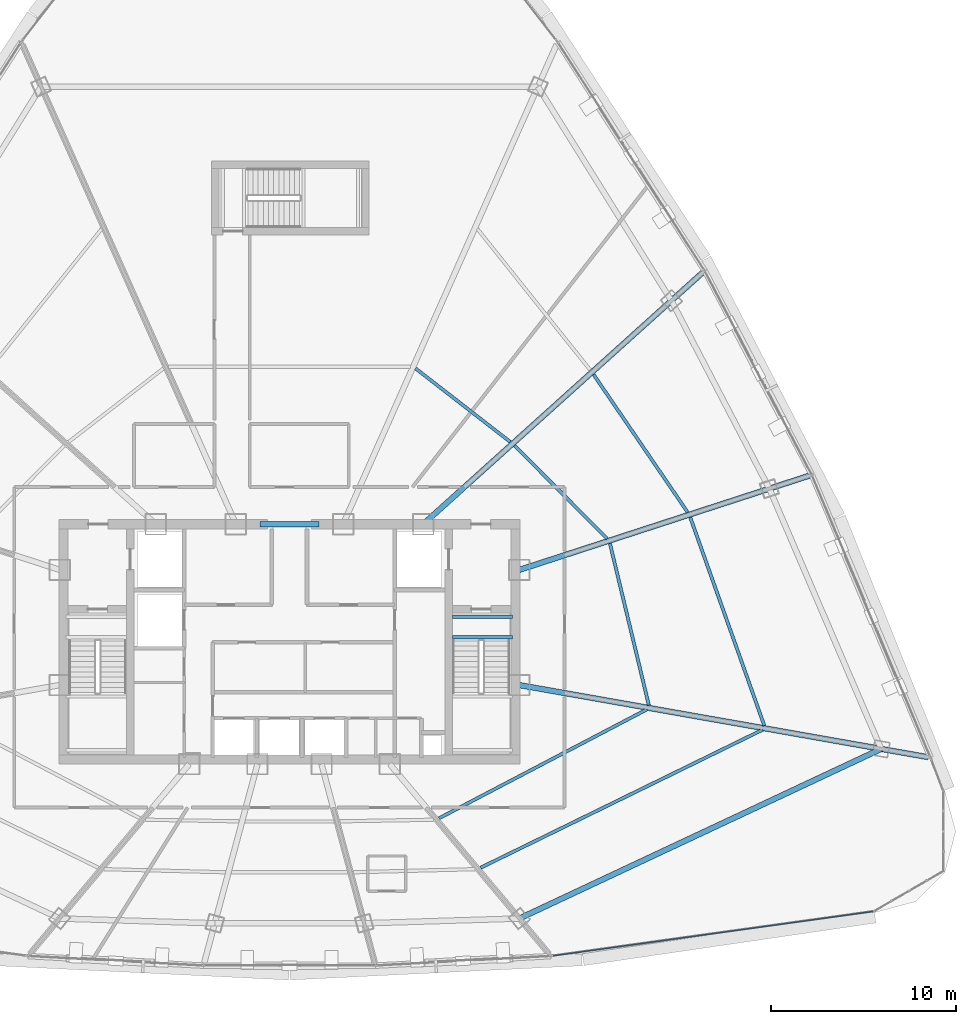
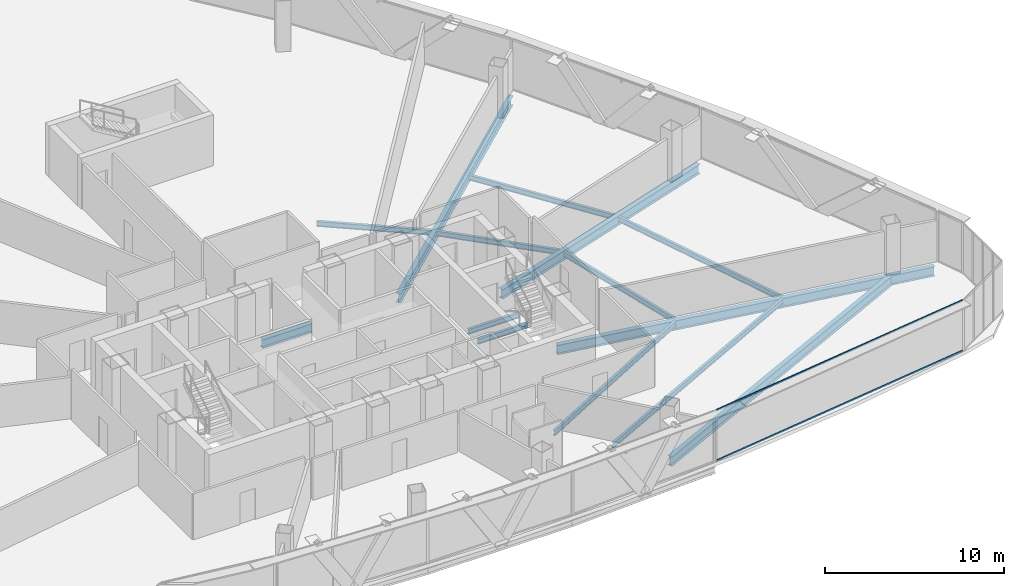
# One storey, part 13 of 36: 14 beams, 2 members, 1 element without a shape of its own.
"""IFC4 building model written with IfcOpenShell, lengths in metres."""

import ifcopenshell
import ifcopenshell.guid

model = None  # the IFC model being written
_history = None  # IfcOwnerHistory: only IFC2X3 demands one
_inside = {}  # id of a spatial element -> (the spatial element, [elements in it])
_under = {}  # id of a project, library or spatial element -> (it, [spatial elements below it])
_declared = {}  # id of a project -> (the project, [libraries it declares])
_typed = {}  # id of a type object -> (the type object, [elements of that type])
_made_of = {}  # id of a material, layer set ... -> (it, [elements and type objects made of it])


def new_model(schema):
    """Start an empty IFC model of exactly this schema.

    Asked for "IFC4X3", IfcOpenShell would pick the latest addendum, in which some entities
    have other attributes; the version numbers below select the first issue.
    IFC2X3 requires an IfcOwnerHistory on every rooted entity: one is made here for all.
    """
    global model, _history
    if schema == "IFC4X3":
        model = ifcopenshell.file(schema_version=(4, 3, 0, 0))
    else:
        model = ifcopenshell.file(schema=schema)
    _inside.clear()
    _under.clear()
    _declared.clear()
    _typed.clear()
    _made_of.clear()
    _history = None
    if model.schema == "IFC2X3":
        org = make("IfcOrganization", Name="unknown")
        user = make(
            "IfcPersonAndOrganization",
            ThePerson=make("IfcPerson", FamilyName="unknown"),
            TheOrganization=org,
        )
        app = make(
            "IfcApplication",
            ApplicationDeveloper=org,
            Version="unknown",
            ApplicationFullName="unknown",
            ApplicationIdentifier="unknown",
        )
        _history = make(
            "IfcOwnerHistory",
            OwningUser=user,
            OwningApplication=app,
            ChangeAction="ADDED",
            CreationDate=0,
        )
    return model


def make(cls, **values):
    """One entity of the class cls with the attributes given. An attribute that is None is left unset."""
    return model.create_entity(
        cls, **{name: value for name, value in values.items() if value is not None}
    )


def rooted(cls, **values):
    """An entity with a GlobalId (a new one), such as an element, a storey or a relation."""
    return make(cls, GlobalId=ifcopenshell.guid.new(), OwnerHistory=_history, **values)


def si_unit(unit_type, name, prefix=None):
    """IfcSIUnit, for example si_unit("LENGTHUNIT", "METRE", prefix="MILLI")."""
    return make("IfcSIUnit", UnitType=unit_type, Prefix=prefix, Name=name)


def assignment(units):
    """IfcUnitAssignment: the units of a project."""
    return None if units is None else make("IfcUnitAssignment", Units=units)


def point(xyz):
    """IfcCartesianPoint."""
    return None if xyz is None else make("IfcCartesianPoint", Coordinates=xyz)


def direction(xyz):
    """IfcDirection."""
    return None if xyz is None else make("IfcDirection", DirectionRatios=xyz)


def frame(location, z_axis=None, x_axis=None):
    """IfcAxis2Placement3D, a coordinate frame: its origin and axes. An axis left out is left unset."""
    return make(
        "IfcAxis2Placement3D",
        Location=point(location),
        Axis=direction(z_axis),
        RefDirection=direction(x_axis),
    )


def frame_2d(location, x_axis=None):
    """IfcAxis2Placement2D, a coordinate frame in the plane: its origin and x axis."""
    return make(
        "IfcAxis2Placement2D", Location=point(location), RefDirection=direction(x_axis)
    )


def origin():
    """The frame at (0, 0, 0) with its axes left unset."""
    return frame((0.0, 0.0, 0.0))


def origin_2d():
    """The frame at (0, 0) in the plane with its x axis left unset."""
    return frame_2d((0.0, 0.0))


def place(relative_to, where):
    """IfcLocalPlacement: puts the frame where relative to a parent placement (None: the world)."""
    return make(
        "IfcLocalPlacement", PlacementRelTo=relative_to, RelativePlacement=where
    )


def context(
    kind, dimensions, precision=None, world=None, true_north=None, identifier=None
):
    """IfcGeometricRepresentationContext, for example the 3D "Model" context."""
    return make(
        "IfcGeometricRepresentationContext",
        ContextIdentifier=identifier,
        ContextType=kind,
        CoordinateSpaceDimension=dimensions,
        Precision=precision,
        WorldCoordinateSystem=world,
        TrueNorth=true_north,
    )


def subcontext(parent, identifier, kind, view, scale=None):
    """IfcGeometricRepresentationSubContext, for example "Body" below "Model"."""
    return make(
        "IfcGeometricRepresentationSubContext",
        ContextIdentifier=identifier,
        ContextType=kind,
        ParentContext=parent,
        TargetScale=scale,
        TargetView=view,
    )


def project(units=None, contexts=None):
    """IfcProject with its units and contexts."""
    return rooted(
        "IfcProject",
        Name="project",
        RepresentationContexts=contexts,
        UnitsInContext=assignment(units),
    )


def spatial(cls, under=None, at=None, **own):
    """A site, building, storey or space (cls), placed at a placement, below another one or the project."""
    s = rooted(cls, ObjectPlacement=at, **own)
    if under is not None:
        _under.setdefault(under.id(), (under, []))[1].append(s)
    return s


def profile(cls, at=None, kind="AREA", **sizes):
    """A parametric profile (cls). Its sizes go by their IFC names, for example OverallWidth=200.0."""
    return make(cls, ProfileType=kind, Position=at, **sizes)


def hollow_rectangle(**sizes):
    """IfcRectangleHollowProfileDef."""
    return profile("IfcRectangleHollowProfileDef", **sizes)


def i_section(**sizes):
    """IfcIShapeProfileDef."""
    return profile("IfcIShapeProfileDef", **sizes)


def extrude(swept, where, along, depth):
    """IfcExtrudedAreaSolid: the profile swept, set in the frame where, extruded along a direction by depth."""
    return make(
        "IfcExtrudedAreaSolid",
        SweptArea=swept,
        Position=where,
        ExtrudedDirection=direction(along),
        Depth=depth,
    )


def shape(context_of_items, identifier, shape_type, items):
    """IfcShapeRepresentation: the items that make up one representation, for example the "Body"."""
    return make(
        "IfcShapeRepresentation",
        ContextOfItems=context_of_items,
        RepresentationIdentifier=identifier,
        RepresentationType=shape_type,
        Items=items,
    )


def source(mapping_origin, context_of_items, identifier, shape_type, items):
    """IfcRepresentationMap: a shape defined once, which mapped items show again and again."""
    return make(
        "IfcRepresentationMap",
        MappingOrigin=mapping_origin,
        MappedRepresentation=shape(context_of_items, identifier, shape_type, items),
    )


def transform(
    local_origin,
    x_axis=None,
    y_axis=None,
    z_axis=None,
    scale=None,
    scale2=None,
    scale3=None,
    uniform=True,
):
    """IfcCartesianTransformationOperator3D, or its non-uniform kind. x_axis, y_axis, z_axis: its Axis1, 2, 3."""
    if uniform:
        return make(
            "IfcCartesianTransformationOperator3D",
            Axis1=direction(x_axis),
            Axis2=direction(y_axis),
            LocalOrigin=point(local_origin),
            Scale=scale,
            Axis3=direction(z_axis),
        )
    return make(
        "IfcCartesianTransformationOperator3DnonUniform",
        Axis1=direction(x_axis),
        Axis2=direction(y_axis),
        LocalOrigin=point(local_origin),
        Scale=scale,
        Axis3=direction(z_axis),
        Scale2=scale2,
        Scale3=scale3,
    )


def mapped(mapping_source, mapping_target):
    """IfcMappedItem: shows the shape of a source again, moved by a transform."""
    return make(
        "IfcMappedItem", MappingSource=mapping_source, MappingTarget=mapping_target
    )


def material(Name=None, Category=None):
    """IfcMaterial."""
    return make("IfcMaterial", Name=Name, Category=Category)


def layer(
    of_material, thickness, ventilated=None, Name=None, Category=None, Priority=None
):
    """IfcMaterialLayer: one layer of a wall or slab, of a material (None: an air gap)."""
    return make(
        "IfcMaterialLayer",
        Material=of_material,
        LayerThickness=thickness,
        IsVentilated=ventilated,
        Name=Name,
        Category=Category,
        Priority=Priority,
    )


def layer_set(layers, Name=None):
    """IfcMaterialLayerSet."""
    return make("IfcMaterialLayerSet", MaterialLayers=layers, LayerSetName=Name)


def material_profile(
    of_material, cross_section, Name=None, Category=None, Priority=None
):
    """IfcMaterialProfile: a cross section and its material."""
    return make(
        "IfcMaterialProfile",
        Name=Name,
        Material=of_material,
        Profile=cross_section,
        Priority=Priority,
        Category=Category,
    )


def profile_set(profiles, Name=None, composite=None):
    """IfcMaterialProfileSet."""
    return make(
        "IfcMaterialProfileSet",
        Name=Name,
        MaterialProfiles=profiles,
        CompositeProfile=composite,
    )


def made_of(thing, what):
    """Note that an element or type object is made of a material, layer set ...; save() writes the relation."""
    if what is not None:
        _made_of.setdefault(what.id(), (what, []))[1].append(thing)
    return thing


def type_object(cls, material=None, **own):
    """A type object (cls), such as IfcWallType, which elements share."""
    return made_of(rooted(cls, **own), material)


def element(
    cls,
    number,
    at=None,
    inside=None,
    cuts=None,
    type_object=None,
    material=None,
    context=None,
    identifier="Body",
    shape_type=None,
    held_by="IfcProductDefinitionShape",
    body=None,
    shapes=None,
    **own,
):
    """One element of the class cls, such as IfcWall. Its Tag is "e" and its number.

    at: its placement. inside: the storey or other place that contains it. cuts: it is an
    opening in that element (IfcRelVoidsElement). A single representation is given by context,
    identifier, shape_type and body (its items); several are given by shapes. held_by: the class
    of the entity that holds the representations. save() writes the other relations.
    """
    e = rooted(cls, Tag="e%d" % number, ObjectPlacement=at, **own)
    if body is not None:
        shapes = [shape(context, identifier, shape_type, body)]
    if shapes is not None:
        e.Representation = make(held_by, Representations=shapes)
    if inside is not None:
        _inside.setdefault(inside.id(), (inside, []))[1].append(e)
    if cuts is not None:
        rooted(
            "IfcRelVoidsElement", RelatingBuildingElement=cuts, RelatedOpeningElement=e
        )
    if type_object is not None:
        _typed.setdefault(type_object.id(), (type_object, []))[1].append(e)
    return made_of(e, material)


def aggregate(whole, parts):
    """IfcRelAggregates: a whole, such as a stair, and the parts it consists of."""
    return rooted("IfcRelAggregates", RelatingObject=whole, RelatedObjects=parts)


def save(model, path):
    """Write the relations noted so far, then the file.

    IfcRelAggregates (storeys below a building ...), IfcRelContainedInSpatialStructure (elements
    in a storey), IfcRelDefinesByType, IfcRelAssociatesMaterial and IfcRelDeclares: one each for
    every whole, place, type object, material and project.
    """
    for whole, parts in _under.values():
        aggregate(whole, parts)
    for where, things in _inside.values():
        rooted(
            "IfcRelContainedInSpatialStructure",
            RelatedElements=things,
            RelatingStructure=where,
        )
    for kind, things in _typed.values():
        rooted("IfcRelDefinesByType", RelatedObjects=things, RelatingType=kind)
    for what, things in _made_of.values():
        rooted("IfcRelAssociatesMaterial", RelatedObjects=things, RelatingMaterial=what)
    for by, libraries in _declared.values():
        rooted("IfcRelDeclares", RelatingContext=by, RelatedDefinitions=libraries)
    model.write(path)


model = new_model("IFC4")

# Units and contexts
model_context = context("Model", 3, precision=1e-05, world=origin(), true_north=direction((0.0, 1.0)))
body_context = subcontext(model_context, "Body", "Model", "MODEL_VIEW")
ifc_project = project(units=[si_unit("LENGTHUNIT", "METRE"), si_unit("AREAUNIT", "SQUARE_METRE"), si_unit("VOLUMEUNIT", "CUBIC_METRE"), si_unit("PLANEANGLEUNIT", "RADIAN"), si_unit("MASSUNIT", "GRAM", prefix="KILO"), si_unit("THERMODYNAMICTEMPERATUREUNIT", "KELVIN"), si_unit("POWERUNIT", "WATT")], contexts=[model_context])

# Site, building, storey
site_placement = place(None, origin())
site = spatial("IfcSite", under=ifc_project, at=site_placement, CompositionType="ELEMENT")
building_placement = place(site_placement, origin())
building = spatial("IfcBuilding", under=site, at=building_placement, Name="Yunzhuo Pagoda Commons", CompositionType="ELEMENT")
storey_placement = place(building_placement, frame((0.0, 0.0, 248.260009765625)))
storey = spatial("IfcBuildingStorey", under=building, at=storey_placement, Name="L62", CompositionType="ELEMENT", Elevation=248.260009765625)

# Beams
ifc_material_1 = material(Name="Structural steel Q355B", Category="steel")
ifc_material_profile_1 = material_profile(ifc_material_1, i_section(OverallWidth=0.175048828125, OverallDepth=0.35009765625, WebThickness=0.007080078125, FlangeThickness=0.010986328125, at=origin_2d()), Name="Structural steel Q355B")
ifc_profile_set_1 = profile_set([ifc_material_profile_1], Name="Structural steel Q355B")
beam_type_1 = type_object("IfcBeamType", Name="B-JS2 Joist HN 350x175x7x11", PredefinedType="JOIST", material=ifc_profile_set_1)
shared_shape_1 = source(origin(), body_context, "Body", "SweptSolid", [
    extrude(i_section(OverallWidth=0.175048828125, OverallDepth=0.35009765625, WebThickness=0.007080078125, FlangeThickness=0.010986328125, at=origin_2d()), origin(), (0.0, 0.0, 1.0), 3.25),
])
for number, where, z_axis, x_axis, name in (
    (1, (56.800048828125, 34.10009765625, -0.375), (1.0, 0.0, 0.0), (0.0, 1.0, 0.0), "L62 ST2 landing support beam 166A"),
    (2, (56.800048828125, 35.199951171875, -0.375), (1.0, 0.0, 0.0), (0.0, 1.0, 0.0), "L62 ST2 landing support beam 166B"),
):
    element("IfcBeam", number, at=place(storey_placement, frame(where, z_axis=z_axis, x_axis=x_axis)), inside=storey, type_object=beam_type_1, Name=name, PredefinedType="JOIST", context=body_context, shape_type="MappedRepresentation", body=[
        mapped(shared_shape_1, transform((0.0, 0.0, 0.0), scale=1.0)),
    ])
ifc_material_2 = material(Name="Structural steel Q420B", Category="steel")
ifc_material_profile_2 = material_profile(ifc_material_2, i_section(OverallWidth=0.300048828125, OverallDepth=0.587890625, WebThickness=0.011962890625, FlangeThickness=0.02001953125, at=origin_2d()), Name="Structural steel Q420B")
ifc_profile_set_2 = profile_set([ifc_material_profile_2], Name="Structural steel Q420B")
beam_type_2 = type_object("IfcBeamType", Name="B-CPL Beam HM 588x300x12x20", PredefinedType="BEAM", material=ifc_profile_set_2)
shared_shape_2 = source(origin(), body_context, "Body", "SweptSolid", [
    extrude(i_section(OverallWidth=0.300048828125, OverallDepth=0.587890625, WebThickness=0.011962890625, FlangeThickness=0.02001953125, at=origin_2d()), origin(), (0.0, 0.0, 1.0), 3.2001953125),
])
beam_1_placement = place(storey_placement, frame((46.39990234375, 40.199951171875, -0.553955078125), z_axis=(1.0, 0.0, 0.0), x_axis=(0.0, 1.0, 0.0)))
element("IfcBeam", 3, at=beam_1_placement, inside=storey, type_object=beam_type_2, Name="L62 core coupling girder", PredefinedType="BEAM", context=body_context, shape_type="MappedRepresentation", body=[
    mapped(shared_shape_2, transform((0.0, 0.0, 0.0), scale=1.0)),
])
ifc_material_profile_3 = material_profile(ifc_material_1, i_section(OverallWidth=0.300048828125, OverallDepth=0.64990234375, WebThickness=0.012939453125, FlangeThickness=0.02197265625, at=origin_2d()), Name="Structural steel Q355B")
ifc_profile_set_3 = profile_set([ifc_material_profile_3], Name="Structural steel Q355B")
beam_type_3 = type_object("IfcBeamType", Name="B-RG2 Beam HN 650x300x13x22", PredefinedType="BEAM", material=ifc_profile_set_3)
shared_shape_3 = source(origin(), body_context, "Body", "SweptSolid", [
    extrude(i_section(OverallWidth=0.300048828125, OverallDepth=0.64990234375, WebThickness=0.012939453125, FlangeThickness=0.02197265625, at=origin_2d()), origin(), (0.0, 0.0, 1.0), 21.56689453125),
])
beam_2_placement = place(storey_placement, frame((60.406982421875, 18.913818359375, -0.5849609375), z_axis=(0.905424265365, 0.424507832304, 0.0), x_axis=(-0.424507832304, 0.905424265365, 0.0)))
element("IfcBeam", 4, at=beam_2_placement, inside=storey, type_object=beam_type_3, Name="L62 column-ring beam 4", PredefinedType="BEAM", context=body_context, shape_type="MappedRepresentation", body=[
    mapped(shared_shape_3, transform((0.0, 0.0, 0.0), scale=1.0)),
])
shared_shape_4 = source(origin(), body_context, "Body", "SweptSolid", [
    extrude(i_section(OverallWidth=0.175048828125, OverallDepth=0.35009765625, WebThickness=0.007080078125, FlangeThickness=0.010986328125, at=origin_2d()), origin(), (0.0, 0.0, 1.0), 12.666259765625),
])
beam_3_placement = place(storey_placement, frame((56.0712890625, 24.32275390625, -0.43505859375), z_axis=(0.885841344078, 0.463988268302, 0.0), x_axis=(-0.463988268302, 0.885841344078, 0.0)))
element("IfcBeam", 5, at=beam_3_placement, inside=storey, type_object=beam_type_1, Name="L62 composite ring joist 1.4", PredefinedType="JOIST", context=body_context, shape_type="MappedRepresentation", body=[
    mapped(shared_shape_4, transform((0.0, 0.0, 0.0), scale=1.0)),
])
shared_shape_5 = source(origin(), body_context, "Body", "SweptSolid", [
    extrude(i_section(OverallWidth=0.175048828125, OverallDepth=0.35009765625, WebThickness=0.007080078125, FlangeThickness=0.010986328125, at=origin_2d()), origin(), (0.0, 0.0, 1.0), 16.95361328125),
])
beam_4_placement = place(storey_placement, frame((58.3115234375, 21.6513671875, -0.43505859375), z_axis=(0.898261717675, 0.439460904473, 0.0), x_axis=(-0.439460904473, 0.898261717675, 0.0)))
element("IfcBeam", 6, at=beam_4_placement, inside=storey, type_object=beam_type_1, Name="L62 composite ring joist 2.4", PredefinedType="JOIST", context=body_context, shape_type="MappedRepresentation", body=[
    mapped(shared_shape_5, transform((0.0, 0.0, 0.0), scale=1.0)),
])
shared_shape_6 = source(origin(), body_context, "Body", "SweptSolid", [
    extrude(i_section(OverallWidth=0.175048828125, OverallDepth=0.35009765625, WebThickness=0.007080078125, FlangeThickness=0.010986328125, at=origin_2d()), origin(), (0.0, 0.0, 1.0), 8.973876953125),
])
beam_5_placement = place(storey_placement, frame((67.395263671875, 30.42822265625, -0.43505859375), z_axis=(-0.233858589105, 0.972270620919, 0.0), x_axis=(-0.972270620919, -0.233858589105, 0.0)))
element("IfcBeam", 7, at=beam_5_placement, inside=storey, type_object=beam_type_1, Name="L62 composite ring joist 1.5", PredefinedType="JOIST", context=body_context, shape_type="MappedRepresentation", body=[
    mapped(shared_shape_6, transform((0.0, 0.0, 0.0), scale=1.0)),
])
shared_shape_7 = source(origin(), body_context, "Body", "SweptSolid", [
    extrude(i_section(OverallWidth=0.175048828125, OverallDepth=0.35009765625, WebThickness=0.007080078125, FlangeThickness=0.010986328125, at=origin_2d()), origin(), (0.0, 0.0, 1.0), 11.929931640625),
])
beam_6_placement = place(storey_placement, frame((73.6298828125, 29.3212890625, -0.43505859375), z_axis=(-0.335086374925, 0.942187413066, 0.0), x_axis=(-0.942187413066, -0.335086374925, 0.0)))
element("IfcBeam", 8, at=beam_6_placement, inside=storey, type_object=beam_type_1, Name="L62 composite ring joist 2.5", PredefinedType="JOIST", context=body_context, shape_type="MappedRepresentation", body=[
    mapped(shared_shape_7, transform((0.0, 0.0, 0.0), scale=1.0)),
])
shared_shape_8 = source(origin(), body_context, "Body", "SweptSolid", [
    extrude(i_section(OverallWidth=0.175048828125, OverallDepth=0.35009765625, WebThickness=0.007080078125, FlangeThickness=0.010986328125, at=origin_2d()), origin(), (0.0, 0.0, 1.0), 7.0732421875),
])
beam_7_placement = place(storey_placement, frame((65.147216796875, 39.42041015625, -0.43505859375), z_axis=(-0.706139657206, 0.708072584218, 0.0), x_axis=(-0.708072584218, -0.706139657206, 0.0)))
element("IfcBeam", 9, at=beam_7_placement, inside=storey, type_object=beam_type_1, Name="L62 composite ring joist 1.6", PredefinedType="JOIST", context=body_context, shape_type="MappedRepresentation", body=[
    mapped(shared_shape_8, transform((0.0, 0.0, 0.0), scale=1.0)),
])
shared_shape_9 = source(origin(), body_context, "Body", "SweptSolid", [
    extrude(i_section(OverallWidth=0.175048828125, OverallDepth=0.35009765625, WebThickness=0.007080078125, FlangeThickness=0.010986328125, at=origin_2d()), origin(), (0.0, 0.0, 1.0), 8.99365234375),
])
beam_8_placement = place(storey_placement, frame((69.4892578125, 40.8427734375, -0.43505859375), z_axis=(-0.564098900337, 0.825707230584, 0.0), x_axis=(-0.825707230584, -0.564098900337, 0.0)))
element("IfcBeam", 10, at=beam_8_placement, inside=storey, type_object=beam_type_1, Name="L62 composite ring joist 2.6", PredefinedType="JOIST", context=body_context, shape_type="MappedRepresentation", body=[
    mapped(shared_shape_9, transform((0.0, 0.0, 0.0), scale=1.0)),
])
shared_shape_10 = source(origin(), body_context, "Body", "SweptSolid", [
    extrude(i_section(OverallWidth=0.175048828125, OverallDepth=0.35009765625, WebThickness=0.007080078125, FlangeThickness=0.010986328125, at=origin_2d()), origin(), (0.0, 0.0, 1.0), 6.4677734375),
])
beam_9_placement = place(storey_placement, frame((59.914794921875, 44.638671875, -0.43505859375), z_axis=(-0.790160481991, 0.612900002202, 0.0), x_axis=(-0.612900002202, -0.790160481991, 0.0)))
element("IfcBeam", 11, at=beam_9_placement, inside=storey, type_object=beam_type_1, Name="L62 composite ring joist 1.7", PredefinedType="JOIST", context=body_context, shape_type="MappedRepresentation", body=[
    mapped(shared_shape_10, transform((0.0, 0.0, 0.0), scale=1.0)),
])
shared_shape_11 = source(origin(), body_context, "Body", "SweptSolid", [
    extrude(i_section(OverallWidth=0.300048828125, OverallDepth=0.64990234375, WebThickness=0.012939453125, FlangeThickness=0.02197265625, at=origin_2d()), origin(), (0.0, 0.0, 1.0), 22.39208984375),
])
beam_10_placement = place(storey_placement, frame((82.451904296875, 27.625244140625, -0.5849609375), z_axis=(-0.984809122528, 0.173640410577, 0.0), x_axis=(-0.173640410577, -0.984809122528, 0.0)))
element("IfcBeam", 12, at=beam_10_placement, inside=storey, type_object=beam_type_3, Name="L62 radial floor girder F2C1", PredefinedType="BEAM", context=body_context, shape_type="MappedRepresentation", body=[
    mapped(shared_shape_11, transform((0.0, 0.0, 0.0), scale=1.0)),
])
shared_shape_12 = source(origin(), body_context, "Body", "SweptSolid", [
    extrude(i_section(OverallWidth=0.300048828125, OverallDepth=0.64990234375, WebThickness=0.012939453125, FlangeThickness=0.02197265625, at=origin_2d()), origin(), (0.0, 0.0, 1.0), 16.453125),
])
beam_11_placement = place(storey_placement, frame((76.0478515625, 42.813232421875, -0.5849609375), z_axis=(-0.951058273777, -0.30901158535, 0.0), x_axis=(0.30901158535, -0.951058273777, 0.0)))
element("IfcBeam", 13, at=beam_11_placement, inside=storey, type_object=beam_type_3, Name="L62 radial floor girder F2C2", PredefinedType="BEAM", context=body_context, shape_type="MappedRepresentation", body=[
    mapped(shared_shape_12, transform((0.0, 0.0, 0.0), scale=1.0)),
])
shared_shape_13 = source(origin(), body_context, "Body", "SweptSolid", [
    extrude(i_section(OverallWidth=0.300048828125, OverallDepth=0.64990234375, WebThickness=0.012939453125, FlangeThickness=0.02197265625, at=origin_2d()), origin(), (0.0, 0.0, 1.0), 20.288818359375),
])
beam_12_placement = place(storey_placement, frame((70.29638671875, 53.77587890625, -0.5849609375), z_axis=(-0.743140353035, -0.669135573477, 0.0), x_axis=(0.669135573477, -0.743140353035, 0.0)))
element("IfcBeam", 14, at=beam_12_placement, inside=storey, type_object=beam_type_3, Name="L62 radial floor girder F2C3", PredefinedType="BEAM", context=body_context, shape_type="MappedRepresentation", body=[
    mapped(shared_shape_13, transform((0.0, 0.0, 0.0), scale=1.0)),
])

# Curtain wall, members
ifc_material_3 = material(Name="Anodized aluminium 6063-T6", Category="aluminium")
ifc_layer = layer(ifc_material_3, 0.139892578125)
ifc_layer_set = layer_set([ifc_layer], Name="Anodized aluminium 6063-T6")
curtain_wall_type = type_object("IfcCurtainWallType", Name="CW-HI High-Zone Ribbon Curtain Wall", PredefinedType="NOTDEFINED", material=ifc_layer_set)
curtain_wall_placement = place(storey_placement, origin())
curtain_wall = element("IfcCurtainWall", 15, at=curtain_wall_placement, inside=storey, type_object=curtain_wall_type, Name="L62 curtain wall CW-L62-F1B5", PredefinedType="NOTDEFINED")
ifc_material_profile_4 = material_profile(ifc_material_3, hollow_rectangle(XDim=0.054931640625, YDim=0.1201171875, WallThickness=0.00341796875, at=origin_2d()), Name="Anodized aluminium 6063-T6")
ifc_profile_set_4 = profile_set([ifc_material_profile_4], Name="Anodized aluminium 6063-T6")
member_type = type_object("IfcMemberType", Name="CW-HI-T Transom RHS 120x55x3.5", PredefinedType="USERDEFINED", material=ifc_profile_set_4)
shared_shape_14 = source(origin(), body_context, "Body", "SweptSolid", [
    extrude(hollow_rectangle(XDim=0.054931640625, YDim=0.1201171875, WallThickness=0.00341796875, at=origin_2d()), origin(), (0.0, 0.0, 1.0), 17.41650390625),
])
member_1_placement = place(storey_placement, frame((62.242919921875, 16.90380859375, 0.027587890625), z_axis=(0.990534830661, 0.137261608789, 0.0), x_axis=(-0.137261608789, 0.990534830661, 0.0)))
member_1 = element("IfcMember", 16, at=member_1_placement, type_object=member_type, Name="CW transom 1.1", ObjectType="TRANSOM", PredefinedType="USERDEFINED", context=body_context, shape_type="MappedRepresentation", body=[
    mapped(shared_shape_14, transform((0.0, 0.0, 0.0), scale=1.0)),
])
member_2_placement = place(storey_placement, frame((62.242919921875, 16.90380859375, 3.4423828125), z_axis=(0.990534830661, 0.137261608789, 0.0), x_axis=(-0.137261608789, 0.990534830661, 0.0)))
member_2 = element("IfcMember", 17, at=member_2_placement, type_object=member_type, Name="CW transom 1.2", ObjectType="TRANSOM", PredefinedType="USERDEFINED", context=body_context, shape_type="MappedRepresentation", body=[
    mapped(shared_shape_14, transform((0.0, 0.0, 0.0), scale=1.0)),
])
aggregate(curtain_wall, [member_1, member_2])

save(model, "model.ifc")
